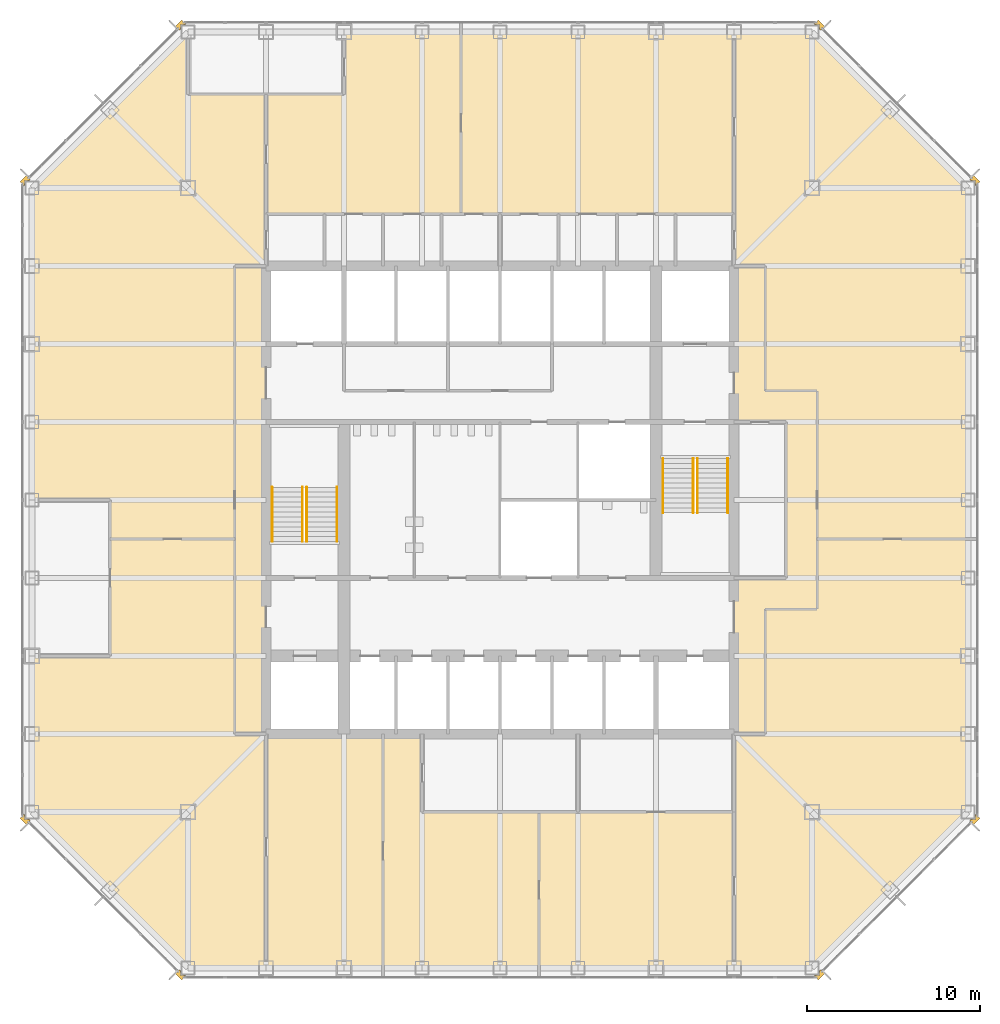
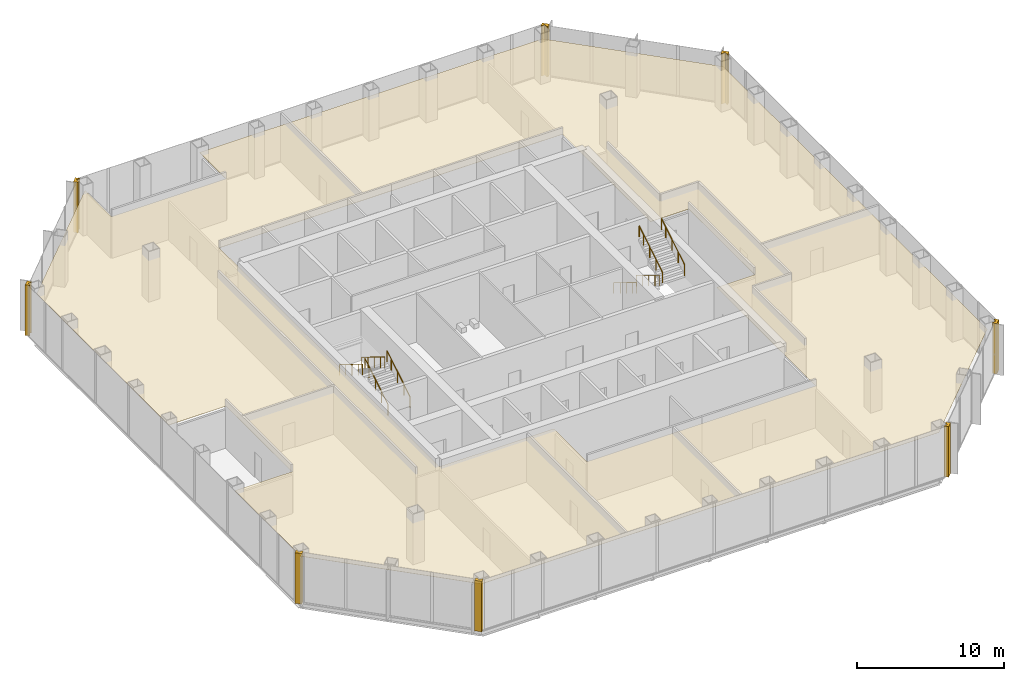
# One storey, part 12 of 13: 9 coverings, 8 railings.
"""IFC4 building model written with IfcOpenShell, lengths in metres."""

from ifc_helpers import new_model, si_unit, direction, frame, origin, origin_2d, place, context, subcontext, project, spatial, polyline, circle, outline, extrude, material, layer, layer_set, type_object, element, save


model = new_model("IFC4")

# Units and contexts
model_context = context("Model", 3, precision=1e-05, world=origin(), true_north=direction((0.0, 1.0)))
body_context = subcontext(model_context, "Body", "Model", "MODEL_VIEW")
ifc_project = project(units=[si_unit("LENGTHUNIT", "METRE"), si_unit("AREAUNIT", "SQUARE_METRE"), si_unit("VOLUMEUNIT", "CUBIC_METRE"), si_unit("PLANEANGLEUNIT", "RADIAN"), si_unit("MASSUNIT", "GRAM", prefix="KILO")], contexts=[model_context])

# Site, building, storey
site_placement = place(None, origin())
site = spatial("IfcSite", under=ifc_project, at=site_placement, CompositionType="ELEMENT")
building_placement = place(site_placement, origin())
building = spatial("IfcBuilding", under=site, at=building_placement, Name="Corais Broadcast Tower", CompositionType="ELEMENT")
storey_placement = place(building_placement, frame((0.0, 0.0, 62.60009765625)))
storey = spatial("IfcBuildingStorey", under=building, at=storey_placement, Name="L13", CompositionType="ELEMENT", Elevation=62.60009765625)

# Railings
ifc_material_1 = material(Name="Stainless steel handrail", Category="steel")
railing_type = type_object("IfcRailingType", Name="Handrail 920", PredefinedType="HANDRAIL", material=ifc_material_1)
for number, where, name in (
    (1, (17.60009765625, 24.60009765625, 0.1748046875), "HR1 L13"),
    (2, (15.85009765625, 24.60009765625, 0.1748046875), "HR1 L13"),
):
    element("IfcRailing", number, at=place(storey_placement, frame(where)), inside=storey, type_object=railing_type, Name=name, PredefinedType="HANDRAIL", context=body_context, shape_type="SweptSolid", body=[
        extrude(circle(Radius=0.02392578125, at=origin_2d()), frame((0.0, 0.0, 0.89599609375), z_axis=(0.0, 0.852166034122, 0.523271488128), x_axis=(-1.0, 0.0, 0.0)), (0.0, 0.0, 1.0), 3.678955078125),
        extrude(circle(Radius=0.02099609375, at=origin_2d()), origin(), (0.0, 0.0, 1.0), 0.871826171875),
        extrude(circle(Radius=0.02099609375, at=origin_2d()), frame((0.0, 0.85498046875, 0.52490234375)), (0.0, 0.0, 1.0), 0.871826171875),
        extrude(circle(Radius=0.02099609375, at=origin_2d()), frame((0.0, 1.7099609375, 1.050048828125)), (0.0, 0.0, 1.0), 0.871826171875),
        extrude(circle(Radius=0.02099609375, at=origin_2d()), frame((0.0, 2.56494140625, 1.574951171875)), (0.0, 0.0, 1.0), 0.871826171875),
        extrude(circle(Radius=0.02099609375, at=origin_2d()), frame((0.0, 3.135009765625, 1.925048828125)), (0.0, 0.0, 1.0), 0.871826171875),
    ])
for number, where, name in (
    (3, (13.85009765625, 27.735107421875, 2.27490234375), "HR1 L13"),
    (4, (15.60009765625, 27.735107421875, 2.27490234375), "HR1 L13"),
    (5, (36.39990234375, 29.39990234375, 0.1748046875), "HR1 L13"),
    (6, (38.14990234375, 29.39990234375, 0.1748046875), "HR1 L13"),
):
    element("IfcRailing", number, at=place(storey_placement, frame(where)), inside=storey, type_object=railing_type, Name=name, PredefinedType="HANDRAIL", context=body_context, shape_type="SweptSolid", body=[
        extrude(circle(Radius=0.02392578125, at=origin_2d()), frame((0.0, 0.0, 0.89599609375), z_axis=(0.0, -0.852166034122, 0.523271488128), x_axis=(1.0, 0.0, 0.0)), (0.0, 0.0, 1.0), 3.678955078125),
        extrude(circle(Radius=0.02099609375, at=origin_2d()), origin(), (0.0, 0.0, 1.0), 0.871826171875),
        extrude(circle(Radius=0.02099609375, at=origin_2d()), frame((0.0, -0.85498046875, 0.52490234375)), (0.0, 0.0, 1.0), 0.871826171875),
        extrude(circle(Radius=0.02099609375, at=origin_2d()), frame((0.0, -1.7099609375, 1.050048828125)), (0.0, 0.0, 1.0), 0.871826171875),
        extrude(circle(Radius=0.02099609375, at=origin_2d()), frame((0.0, -2.56494140625, 1.574951171875)), (0.0, 0.0, 1.0), 0.871826171875),
        extrude(circle(Radius=0.02099609375, at=origin_2d()), frame((0.0, -3.135009765625, 1.925048828125)), (0.0, 0.0, 1.0), 0.871826171875),
    ])
for number, where, name in (
    (7, (40.14990234375, 26.264892578125, 2.27490234375), "HR1 L13"),
    (8, (38.39990234375, 26.264892578125, 2.27490234375), "HR1 L13"),
):
    element("IfcRailing", number, at=place(storey_placement, frame(where)), inside=storey, type_object=railing_type, Name=name, PredefinedType="HANDRAIL", context=body_context, shape_type="SweptSolid", body=[
        extrude(circle(Radius=0.02392578125, at=origin_2d()), frame((0.0, 0.0, 0.89599609375), z_axis=(0.0, 0.852166034122, 0.523271488128), x_axis=(-1.0, 0.0, 0.0)), (0.0, 0.0, 1.0), 3.678955078125),
        extrude(circle(Radius=0.02099609375, at=origin_2d()), origin(), (0.0, 0.0, 1.0), 0.871826171875),
        extrude(circle(Radius=0.02099609375, at=origin_2d()), frame((0.0, 0.85498046875, 0.52490234375)), (0.0, 0.0, 1.0), 0.871826171875),
        extrude(circle(Radius=0.02099609375, at=origin_2d()), frame((0.0, 1.7099609375, 1.050048828125)), (0.0, 0.0, 1.0), 0.871826171875),
        extrude(circle(Radius=0.02099609375, at=origin_2d()), frame((0.0, 2.56494140625, 1.574951171875)), (0.0, 0.0, 1.0), 0.871826171875),
        extrude(circle(Radius=0.02099609375, at=origin_2d()), frame((0.0, 3.135009765625, 1.925048828125)), (0.0, 0.0, 1.0), 0.871826171875),
    ])

# Coverings
ifc_material_2 = material(Name="Granite stone cladding", Category="masonry")
ifc_layer_1 = layer(ifc_material_2, 0.324951171875)
ifc_layer_set_1 = layer_set([ifc_layer_1], Name="Granite stone cladding")
covering_type_1 = type_object("IfcCoveringType", Name="Stone corner pier cladding 500x325", PredefinedType="CLADDING", material=ifc_layer_set_1)
covering_1_placement = place(storey_placement, origin())
element("IfcCovering", 9, at=covering_1_placement, inside=storey, type_object=covering_type_1, Name="SP1 stone corner pier L13", PredefinedType="CLADDING", context=body_context, shape_type="SweptSolid", body=[
    extrude(outline(polyline([(8.860595703125, -0.461669921875), (8.823974609375, -0.425048828125), (8.574951171875, -0.425048828125), (8.574951171875, -0.176025390625), (8.507080078125, -0.108154296875), (8.277099609375, -0.337890625), (8.630859375, -0.69140625), (8.860595703125, -0.461669921875)])), origin(), (0.0, 0.0, 1.0), 4.199951171875),
])
covering_2_placement = place(storey_placement, origin())
element("IfcCovering", 10, at=covering_2_placement, inside=storey, type_object=covering_type_1, Name="SP1 stone corner pier L13", PredefinedType="CLADDING", context=body_context, shape_type="SweptSolid", body=[
    extrude(outline(polyline([(-0.425048828125, 8.823974609375), (-0.461669921875, 8.860595703125), (-0.69140625, 8.630859375), (-0.337890625, 8.277099609375), (-0.108154296875, 8.507080078125), (-0.176025390625, 8.574951171875), (-0.425048828125, 8.574951171875), (-0.425048828125, 8.823974609375)])), origin(), (0.0, 0.0, 1.0), 4.199951171875),
])
covering_3_placement = place(storey_placement, origin())
element("IfcCovering", 11, at=covering_3_placement, inside=storey, type_object=covering_type_1, Name="SP1 stone corner pier L13", PredefinedType="CLADDING", context=body_context, shape_type="SweptSolid", body=[
    extrude(outline(polyline([(-0.461669921875, 45.139404296875), (-0.425048828125, 45.176025390625), (-0.425048828125, 45.425048828125), (-0.176025390625, 45.425048828125), (-0.108154296875, 45.492919921875), (-0.337890625, 45.722900390625), (-0.69140625, 45.369140625), (-0.461669921875, 45.139404296875)])), origin(), (0.0, 0.0, 1.0), 4.199951171875),
])
covering_4_placement = place(storey_placement, origin())
element("IfcCovering", 12, at=covering_4_placement, inside=storey, type_object=covering_type_1, Name="SP1 stone corner pier L13", PredefinedType="CLADDING", context=body_context, shape_type="SweptSolid", body=[
    extrude(outline(polyline([(8.823974609375, 54.425048828125), (8.860595703125, 54.461669921875), (8.630859375, 54.69140625), (8.277099609375, 54.337890625), (8.507080078125, 54.108154296875), (8.574951171875, 54.176025390625), (8.574951171875, 54.425048828125), (8.823974609375, 54.425048828125)])), origin(), (0.0, 0.0, 1.0), 4.199951171875),
])
covering_5_placement = place(storey_placement, origin())
element("IfcCovering", 13, at=covering_5_placement, inside=storey, type_object=covering_type_1, Name="SP1 stone corner pier L13", PredefinedType="CLADDING", context=body_context, shape_type="SweptSolid", body=[
    extrude(outline(polyline([(45.139404296875, 54.461669921875), (45.176025390625, 54.425048828125), (45.425048828125, 54.425048828125), (45.425048828125, 54.176025390625), (45.492919921875, 54.108154296875), (45.722900390625, 54.337890625), (45.369140625, 54.69140625), (45.139404296875, 54.461669921875)])), origin(), (0.0, 0.0, 1.0), 4.199951171875),
])
covering_6_placement = place(storey_placement, origin())
element("IfcCovering", 14, at=covering_6_placement, inside=storey, type_object=covering_type_1, Name="SP1 stone corner pier L13", PredefinedType="CLADDING", context=body_context, shape_type="SweptSolid", body=[
    extrude(outline(polyline([(54.425048828125, 45.176025390625), (54.461669921875, 45.139404296875), (54.69140625, 45.369140625), (54.337890625, 45.722900390625), (54.108154296875, 45.492919921875), (54.176025390625, 45.425048828125), (54.425048828125, 45.425048828125), (54.425048828125, 45.176025390625)])), origin(), (0.0, 0.0, 1.0), 4.199951171875),
])
covering_7_placement = place(storey_placement, origin())
element("IfcCovering", 15, at=covering_7_placement, inside=storey, type_object=covering_type_1, Name="SP1 stone corner pier L13", PredefinedType="CLADDING", context=body_context, shape_type="SweptSolid", body=[
    extrude(outline(polyline([(54.461669921875, 8.860595703125), (54.425048828125, 8.823974609375), (54.425048828125, 8.574951171875), (54.176025390625, 8.574951171875), (54.108154296875, 8.507080078125), (54.337890625, 8.277099609375), (54.69140625, 8.630859375), (54.461669921875, 8.860595703125)])), origin(), (0.0, 0.0, 1.0), 4.199951171875),
])
covering_8_placement = place(storey_placement, origin())
element("IfcCovering", 16, at=covering_8_placement, inside=storey, type_object=covering_type_1, Name="SP1 stone corner pier L13", PredefinedType="CLADDING", context=body_context, shape_type="SweptSolid", body=[
    extrude(outline(polyline([(45.176025390625, -0.425048828125), (45.139404296875, -0.461669921875), (45.369140625, -0.69140625), (45.722900390625, -0.337890625), (45.492919921875, -0.108154296875), (45.425048828125, -0.176025390625), (45.425048828125, -0.425048828125), (45.176025390625, -0.425048828125)])), origin(), (0.0, 0.0, 1.0), 4.199951171875),
])
ifc_material_3 = material(Name="Mineral fibre ceiling tile", Category="mineral")
ifc_layer_2 = layer(ifc_material_3, 0.02001953125)
ifc_layer_set_2 = layer_set([ifc_layer_2], Name="Mineral fibre ceiling tile")
covering_type_2 = type_object("IfcCoveringType", Name="Suspended ceiling", PredefinedType="CEILING", material=ifc_layer_set_2)
covering_9_placement = place(storey_placement, frame((0.0, 0.0, 3.419921875)))
element("IfcCovering", 17, at=covering_9_placement, inside=storey, type_object=covering_type_2, Name="CE1 ceiling L13", PredefinedType="CEILING", context=body_context, shape_type="SweptSolid", body=[
    extrude(outline(polyline([(9.0, 0.0), (0.0, 9.0), (0.0, 18.0), (4.5, 18.0), (4.5, 27.0), (0.0, 27.0), (0.0, 45.0), (9.0, 54.0), (9.0, 50.39990234375), (18.0, 50.39990234375), (18.0, 54.0), (45.0, 54.0), (54.0, 45.0), (54.0, 9.0), (45.0, 0.0), (9.0, 0.0)]), holes=[polyline([(22.5, 13.5), (22.5, 9.0), (40.5, 9.0), (40.5, 22.5), (43.5, 22.5), (43.5, 31.5), (40.5, 31.5), (40.5, 43.5), (13.5, 43.5), (13.5, 13.5), (22.5, 13.5)])]), origin(), (0.0, 0.0, 1.0), 0.02001953125),
])

save(model, "model.ifc")
